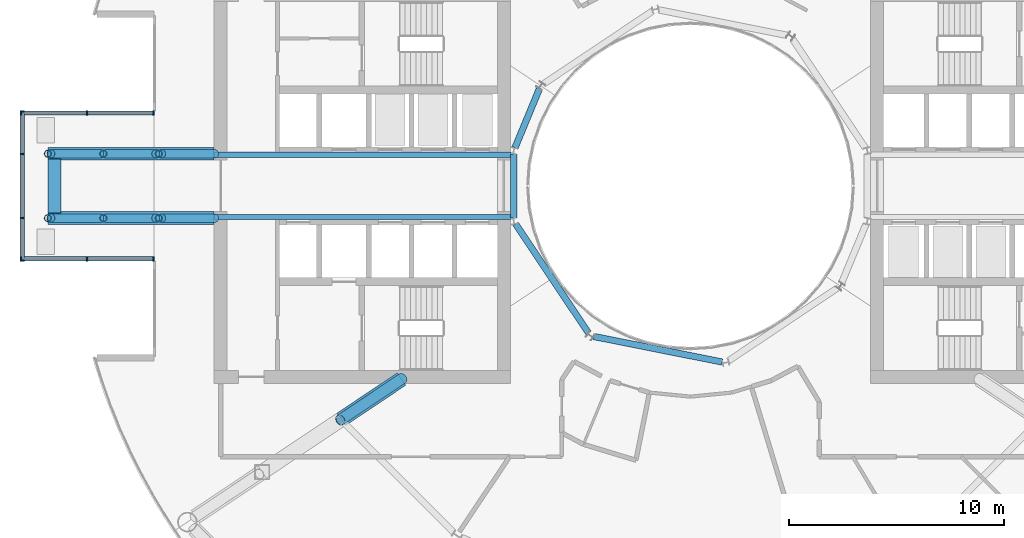
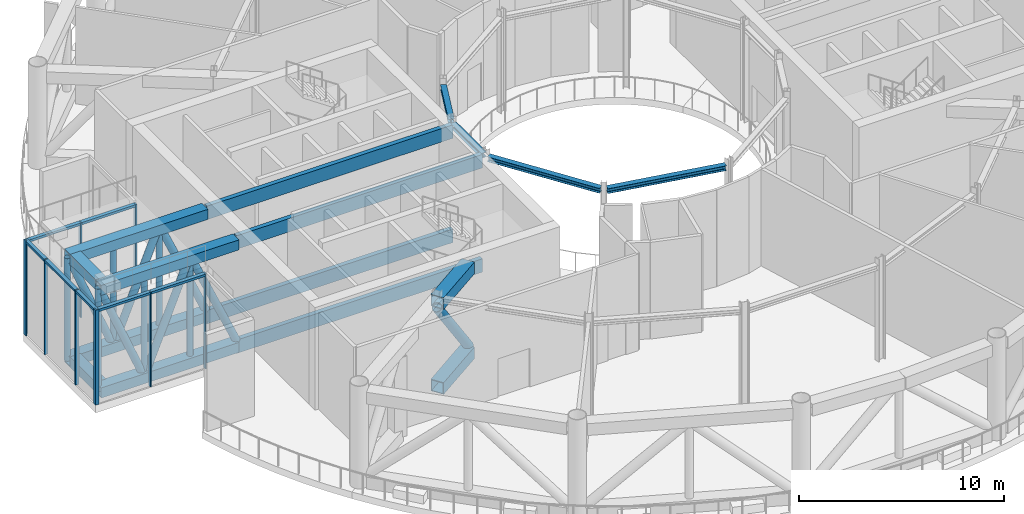
# One storey, part 6 of 25: 30 members, 16 beams, 3 elements without a shape of their own.
"""IFC4 building model written with IfcOpenShell, lengths in metres."""

from ifc_helpers import new_model, si_unit, direction, frame, origin, origin_2d, place, context, subcontext, project, spatial, rectangle, hollow_rectangle, hollow_circle, i_section, extrude, material, layer, layer_set, material_profile, profile_set, type_object, element, aggregate, save


model = new_model("IFC4")

# Units and contexts
model_context = context("Model", 3, precision=1e-05, world=origin(), true_north=direction((0.0, 1.0)))
body_context = subcontext(model_context, "Body", "Model", "MODEL_VIEW")
ifc_project = project(units=[si_unit("LENGTHUNIT", "METRE"), si_unit("AREAUNIT", "SQUARE_METRE"), si_unit("VOLUMEUNIT", "CUBIC_METRE"), si_unit("PLANEANGLEUNIT", "RADIAN"), si_unit("MASSUNIT", "GRAM", prefix="KILO")], contexts=[model_context])

# Site, building, storey
site_placement = place(None, origin())
site = spatial("IfcSite", under=ifc_project, at=site_placement, CompositionType="ELEMENT")
building_placement = place(site_placement, origin())
building = spatial("IfcBuilding", under=site, at=building_placement, Name="Maasbend Ring Residences", CompositionType="ELEMENT")
storey_placement = place(building_placement, frame((0.0, 0.0, 139.10009765625)))
storey = spatial("IfcBuildingStorey", under=building, at=storey_placement, Name="L40", CompositionType="ELEMENT", Elevation=139.10009765625)

# Curtain wall, members
ifc_material_1 = material(Name="Aluminium and clear glass", Category="aluminium")
ifc_layer = layer(ifc_material_1, 0.199951171875)
ifc_layer_set = layer_set([ifc_layer], Name="CW-GR")
curtain_wall_type = type_object("IfcCurtainWallType", Name="CW-GR", PredefinedType="NOTDEFINED", material=ifc_layer_set)
curtain_wall_1_placement = place(storey_placement, origin())
curtain_wall_1 = element("IfcCurtainWall", 1, at=curtain_wall_1_placement, inside=storey, type_object=curtain_wall_type, Name="Glass lounge curtain wall tip", PredefinedType="NOTDEFINED")
ifc_material_2 = material(Name="Aluminium 6063-T6", Category="aluminium")
ifc_material_profile_1 = material_profile(ifc_material_2, rectangle(XDim=0.199951171875, YDim=0.070068359375, at=origin_2d()), Name="AL 200x70")
ifc_profile_set_1 = profile_set([ifc_material_profile_1], Name="Aluminium 6063-T6")
member_type_1 = type_object("IfcMemberType", Name="CWM-GR", PredefinedType="MULLION", material=ifc_profile_set_1)
member_1_placement = place(storey_placement, frame((-31.14990234375, -3.465087890625, 0.0), z_axis=(0.0, 0.0, 1.0), x_axis=(-1.0, 0.0, 0.0)))
member_1 = element("IfcMember", 2, at=member_1_placement, type_object=member_type_1, Name="Mullion glass room", PredefinedType="MULLION", context=body_context, shape_type="SweptSolid", body=[
    extrude(rectangle(XDim=0.199951171875, YDim=0.070068359375, at=origin_2d()), origin(), (0.0, 0.0, 1.0), 5.64990234375),
])
member_2_placement = place(storey_placement, frame((-31.14990234375, -1.5, 0.0), z_axis=(0.0, 0.0, 1.0), x_axis=(-1.0, 0.0, 0.0)))
member_2 = element("IfcMember", 3, at=member_2_placement, type_object=member_type_1, Name="Mullion glass room", PredefinedType="MULLION", context=body_context, shape_type="SweptSolid", body=[
    extrude(rectangle(XDim=0.199951171875, YDim=0.070068359375, at=origin_2d()), origin(), (0.0, 0.0, 1.0), 5.64990234375),
])
member_3_placement = place(storey_placement, frame((-31.14990234375, 1.5, 0.0), z_axis=(0.0, 0.0, 1.0), x_axis=(-1.0, 0.0, 0.0)))
member_3 = element("IfcMember", 4, at=member_3_placement, type_object=member_type_1, Name="Mullion glass room", PredefinedType="MULLION", context=body_context, shape_type="SweptSolid", body=[
    extrude(rectangle(XDim=0.199951171875, YDim=0.070068359375, at=origin_2d()), origin(), (0.0, 0.0, 1.0), 5.64990234375),
])
member_4_placement = place(storey_placement, frame((-31.14990234375, 3.465087890625, 0.0), z_axis=(0.0, 0.0, 1.0), x_axis=(-1.0, 0.0, 0.0)))
member_4 = element("IfcMember", 5, at=member_4_placement, type_object=member_type_1, Name="Mullion glass room", PredefinedType="MULLION", context=body_context, shape_type="SweptSolid", body=[
    extrude(rectangle(XDim=0.199951171875, YDim=0.070068359375, at=origin_2d()), origin(), (0.0, 0.0, 1.0), 5.64990234375),
])

curtain_wall_2_placement = place(storey_placement, origin())
curtain_wall_2 = element("IfcCurtainWall", 6, at=curtain_wall_2_placement, inside=storey, type_object=curtain_wall_type, Name="Glass lounge curtain wall south", PredefinedType="NOTDEFINED")
member_5_placement = place(storey_placement, frame((-25.034912109375, -3.39990234375, 0.0), z_axis=(0.0, 0.0, 1.0), x_axis=(0.0, -1.0, 0.0)))
member_5 = element("IfcMember", 7, at=member_5_placement, type_object=member_type_1, Name="Mullion glass room", PredefinedType="MULLION", context=body_context, shape_type="SweptSolid", body=[
    extrude(rectangle(XDim=0.199951171875, YDim=0.070068359375, at=origin_2d()), origin(), (0.0, 0.0, 1.0), 5.64990234375),
])
member_6_placement = place(storey_placement, frame((-28.125, -3.39990234375, 0.0), z_axis=(0.0, 0.0, 1.0), x_axis=(0.0, -1.0, 0.0)))
member_6 = element("IfcMember", 8, at=member_6_placement, type_object=member_type_1, Name="Mullion glass room", PredefinedType="MULLION", context=body_context, shape_type="SweptSolid", body=[
    extrude(rectangle(XDim=0.199951171875, YDim=0.070068359375, at=origin_2d()), origin(), (0.0, 0.0, 1.0), 5.64990234375),
])
member_7_placement = place(storey_placement, frame((-31.215087890625, -3.39990234375, 0.0), z_axis=(0.0, 0.0, 1.0), x_axis=(0.0, -1.0, 0.0)))
member_7 = element("IfcMember", 9, at=member_7_placement, type_object=member_type_1, Name="Mullion glass room", PredefinedType="MULLION", context=body_context, shape_type="SweptSolid", body=[
    extrude(rectangle(XDim=0.199951171875, YDim=0.070068359375, at=origin_2d()), origin(), (0.0, 0.0, 1.0), 5.64990234375),
])

curtain_wall_3_placement = place(storey_placement, origin())
curtain_wall_3 = element("IfcCurtainWall", 10, at=curtain_wall_3_placement, inside=storey, type_object=curtain_wall_type, Name="Glass lounge curtain wall north", PredefinedType="NOTDEFINED")
member_8_placement = place(storey_placement, frame((-25.034912109375, 3.39990234375, 0.0), z_axis=(0.0, 0.0, 1.0), x_axis=(0.0, -1.0, 0.0)))
member_8 = element("IfcMember", 11, at=member_8_placement, type_object=member_type_1, Name="Mullion glass room", PredefinedType="MULLION", context=body_context, shape_type="SweptSolid", body=[
    extrude(rectangle(XDim=0.199951171875, YDim=0.070068359375, at=origin_2d()), origin(), (0.0, 0.0, 1.0), 5.64990234375),
])
member_9_placement = place(storey_placement, frame((-28.125, 3.39990234375, 0.0), z_axis=(0.0, 0.0, 1.0), x_axis=(0.0, -1.0, 0.0)))
member_9 = element("IfcMember", 12, at=member_9_placement, type_object=member_type_1, Name="Mullion glass room", PredefinedType="MULLION", context=body_context, shape_type="SweptSolid", body=[
    extrude(rectangle(XDim=0.199951171875, YDim=0.070068359375, at=origin_2d()), origin(), (0.0, 0.0, 1.0), 5.64990234375),
])
member_10_placement = place(storey_placement, frame((-31.215087890625, 3.39990234375, 0.0), z_axis=(0.0, 0.0, 1.0), x_axis=(0.0, -1.0, 0.0)))
member_10 = element("IfcMember", 13, at=member_10_placement, type_object=member_type_1, Name="Mullion glass room", PredefinedType="MULLION", context=body_context, shape_type="SweptSolid", body=[
    extrude(rectangle(XDim=0.199951171875, YDim=0.070068359375, at=origin_2d()), origin(), (0.0, 0.0, 1.0), 5.64990234375),
])

# Member
ifc_material_3 = material(Name="Aluminium 6063-T6", Category="aluminium")
ifc_material_profile_2 = material_profile(ifc_material_3, rectangle(XDim=0.199951171875, YDim=0.139892578125, at=origin_2d()), Name="AL 200x140")
ifc_profile_set_2 = profile_set([ifc_material_profile_2], Name="Aluminium 6063-T6")
member_type_2 = type_object("IfcMemberType", Name="CWT-GR", PredefinedType="USERDEFINED", material=ifc_profile_set_2)
member_11_placement = place(storey_placement, frame((-31.14990234375, -3.429931640625, 5.579833984375), z_axis=(0.0, 1.0, 0.0), x_axis=(-1.0, 0.0, 0.0)))
member_11 = element("IfcMember", 14, at=member_11_placement, type_object=member_type_2, Name="Transom glass room", ObjectType="TRANSOM", PredefinedType="USERDEFINED", context=body_context, shape_type="SweptSolid", body=[
    extrude(rectangle(XDim=0.199951171875, YDim=0.139892578125, at=origin_2d()), origin(), (0.0, 0.0, 1.0), 1.89501953125),
])

member_12_placement = place(storey_placement, frame((-31.14990234375, -1.465087890625, 5.579833984375), z_axis=(0.0, 1.0, 0.0), x_axis=(-1.0, 0.0, 0.0)))
member_12 = element("IfcMember", 15, at=member_12_placement, type_object=member_type_2, Name="Transom glass room", ObjectType="TRANSOM", PredefinedType="USERDEFINED", context=body_context, shape_type="SweptSolid", body=[
    extrude(rectangle(XDim=0.199951171875, YDim=0.139892578125, at=origin_2d()), origin(), (0.0, 0.0, 1.0), 2.93017578125),
])

member_13_placement = place(storey_placement, frame((-31.14990234375, 1.534912109375, 5.579833984375), z_axis=(0.0, 1.0, 0.0), x_axis=(-1.0, 0.0, 0.0)))
member_13 = element("IfcMember", 16, at=member_13_placement, type_object=member_type_2, Name="Transom glass room", ObjectType="TRANSOM", PredefinedType="USERDEFINED", context=body_context, shape_type="SweptSolid", body=[
    extrude(rectangle(XDim=0.199951171875, YDim=0.139892578125, at=origin_2d()), origin(), (0.0, 0.0, 1.0), 1.89501953125),
])

aggregate(curtain_wall_1, [member_1, member_2, member_3, member_4, member_11, member_12, member_13])

member_14_placement = place(storey_placement, frame((-25.070068359375, -3.39990234375, 5.579833984375), z_axis=(-1.0, 0.0, 0.0), x_axis=(0.0, -1.0, 0.0)))
member_14 = element("IfcMember", 17, at=member_14_placement, type_object=member_type_2, Name="Transom glass room", ObjectType="TRANSOM", PredefinedType="USERDEFINED", context=body_context, shape_type="SweptSolid", body=[
    extrude(rectangle(XDim=0.199951171875, YDim=0.139892578125, at=origin_2d()), origin(), (0.0, 0.0, 1.0), 3.02001953125),
])

member_15_placement = place(storey_placement, frame((-28.159912109375, -3.39990234375, 5.579833984375), z_axis=(-1.0, 0.0, 0.0), x_axis=(0.0, -1.0, 0.0)))
member_15 = element("IfcMember", 18, at=member_15_placement, type_object=member_type_2, Name="Transom glass room", ObjectType="TRANSOM", PredefinedType="USERDEFINED", context=body_context, shape_type="SweptSolid", body=[
    extrude(rectangle(XDim=0.199951171875, YDim=0.139892578125, at=origin_2d()), origin(), (0.0, 0.0, 1.0), 3.02001953125),
])

aggregate(curtain_wall_2, [member_5, member_6, member_7, member_14, member_15])

member_16_placement = place(storey_placement, frame((-25.070068359375, 3.39990234375, 5.579833984375), z_axis=(-1.0, 0.0, 0.0), x_axis=(0.0, -1.0, 0.0)))
member_16 = element("IfcMember", 19, at=member_16_placement, type_object=member_type_2, Name="Transom glass room", ObjectType="TRANSOM", PredefinedType="USERDEFINED", context=body_context, shape_type="SweptSolid", body=[
    extrude(rectangle(XDim=0.199951171875, YDim=0.139892578125, at=origin_2d()), origin(), (0.0, 0.0, 1.0), 3.02001953125),
])

member_17_placement = place(storey_placement, frame((-28.159912109375, 3.39990234375, 5.579833984375), z_axis=(-1.0, 0.0, 0.0), x_axis=(0.0, -1.0, 0.0)))
member_17 = element("IfcMember", 20, at=member_17_placement, type_object=member_type_2, Name="Transom glass room", ObjectType="TRANSOM", PredefinedType="USERDEFINED", context=body_context, shape_type="SweptSolid", body=[
    extrude(rectangle(XDim=0.199951171875, YDim=0.139892578125, at=origin_2d()), origin(), (0.0, 0.0, 1.0), 3.02001953125),
])

aggregate(curtain_wall_3, [member_8, member_9, member_10, member_16, member_17])

# Beams
ifc_material_4 = material(Name="Steel S460M", Category="steel")
ifc_material_profile_3 = material_profile(ifc_material_4, hollow_rectangle(XDim=0.25, YDim=0.800048828125, WallThickness=0.02490234375, at=origin_2d()), Name="Glass room back-span beam BX 800x250x25")
ifc_profile_set_3 = profile_set([ifc_material_profile_3], Name="Steel S460M")
beam_type_1 = type_object("IfcBeamType", Name="Glass room back-span beam BX 800x250x25", PredefinedType="BEAM", material=ifc_profile_set_3)
for number, where, z_axis, x_axis, name in (
    (21, (-22.199951171875, -1.449951171875, -0.85009765625), (1.0, 0.0, 0.0), (0.0, 1.0, 0.0), "Glass room lower back-span beam W"),
    (22, (-22.199951171875, -1.449951171875, 5.349853515625), (1.0, 0.0, 0.0), (0.0, 1.0, 0.0), "Glass room back-span beam W"),
    (23, (-22.199951171875, 1.449951171875, -0.85009765625), (1.0, 0.0, 0.0), (0.0, 1.0, 0.0), "Glass room lower back-span beam W"),
    (24, (-22.199951171875, 1.449951171875, 5.349853515625), (1.0, 0.0, 0.0), (0.0, 1.0, 0.0), "Glass room back-span beam W"),
):
    element("IfcBeam", number, at=place(storey_placement, frame(where, z_axis=z_axis, x_axis=x_axis)), inside=storey, type_object=beam_type_1, Name=name, PredefinedType="BEAM", context=body_context, shape_type="SweptSolid", body=[
        extrude(hollow_rectangle(XDim=0.25, YDim=0.800048828125, WallThickness=0.02490234375, at=origin_2d()), origin(), (0.0, 0.0, 1.0), 13.830810546875),
    ])
ifc_material_5 = material(Name="Steel S460M", Category="steel")
ifc_material_profile_4 = material_profile(ifc_material_5, hollow_rectangle(XDim=0.60009765625, YDim=0.60009765625, WallThickness=0.035888671875, at=origin_2d()), Name="Glass room truss chord BX 600x600x36")
ifc_profile_set_4 = profile_set([ifc_material_profile_4], Name="Steel S460M")
beam_type_2 = type_object("IfcBeamType", Name="Glass room truss chord BX 600x600x36", PredefinedType="BEAM", material=ifc_profile_set_4)
for number, where, z_axis, x_axis, name in (
    (25, (-22.199951171875, -1.5, -0.75), (-1.0, 0.0, 0.0), (0.0, -1.0, 0.0), "Glass room truss W"),
    (26, (-22.199951171875, -1.5, 5.349853515625), (-1.0, 0.0, 0.0), (0.0, -1.0, 0.0), "Glass room truss W"),
):
    element("IfcBeam", number, at=place(storey_placement, frame(where, z_axis=z_axis, x_axis=x_axis)), inside=storey, type_object=beam_type_2, Name=name, PredefinedType="BEAM", context=body_context, shape_type="SweptSolid", body=[
        extrude(hollow_rectangle(XDim=0.60009765625, YDim=0.60009765625, WallThickness=0.035888671875, at=origin_2d()), origin(), (0.0, 0.0, 1.0), 7.75),
    ])
for number, where, z_axis, x_axis, name in (
    (27, (-29.64990234375, -1.25, 5.349853515625), (0.0, 1.0, 0.0), (-1.0, 0.0, 0.0), "Glass room tip beam W"),
    (28, (-29.64990234375, -1.25, -0.75), (0.0, 1.0, 0.0), (-1.0, 0.0, 0.0), "Glass room lower tip beam W"),
):
    element("IfcBeam", number, at=place(storey_placement, frame(where, z_axis=z_axis, x_axis=x_axis)), inside=storey, type_object=beam_type_2, Name=name, PredefinedType="BEAM", context=body_context, shape_type="SweptSolid", body=[
        extrude(hollow_rectangle(XDim=0.60009765625, YDim=0.60009765625, WallThickness=0.035888671875, at=origin_2d()), origin(), (0.0, 0.0, 1.0), 2.5),
    ])
for number, where, z_axis, x_axis, name in (
    (29, (-22.199951171875, 1.5, -0.75), (-1.0, 0.0, 0.0), (0.0, -1.0, 0.0), "Glass room truss W"),
    (30, (-22.199951171875, 1.5, 5.349853515625), (-1.0, 0.0, 0.0), (0.0, -1.0, 0.0), "Glass room truss W"),
):
    element("IfcBeam", number, at=place(storey_placement, frame(where, z_axis=z_axis, x_axis=x_axis)), inside=storey, type_object=beam_type_2, Name=name, PredefinedType="BEAM", context=body_context, shape_type="SweptSolid", body=[
        extrude(hollow_rectangle(XDim=0.60009765625, YDim=0.60009765625, WallThickness=0.035888671875, at=origin_2d()), origin(), (0.0, 0.0, 1.0), 7.75),
    ])

# Members
ifc_material_6 = material(Name="Steel S460NH", Category="steel")
ifc_material_profile_5 = material_profile(ifc_material_6, hollow_circle(Radius=0.203125, WallThickness=0.01611328125, at=origin_2d()), Name="Glass room truss diagonal CHS 406.4x16")
ifc_profile_set_5 = profile_set([ifc_material_profile_5], Name="Steel S460NH")
member_type_3 = type_object("IfcMemberType", Name="Glass room truss diagonal CHS 406.4x16", PredefinedType="BRACE", material=ifc_profile_set_5)
member_18_placement = place(storey_placement, frame((-22.177978515625, -1.5, -0.5), z_axis=(-0.402929824576, 0.0, 0.915230876045), x_axis=(0.0, -1.0, 0.0)))
element("IfcMember", 31, at=member_18_placement, inside=storey, type_object=member_type_3, Name="Glass room truss W diagonal", PredefinedType="BRACE", context=body_context, shape_type="SweptSolid", body=[
    extrude(hollow_circle(Radius=0.203125, WallThickness=0.01611328125, at=origin_2d()), origin(), (0.0, 0.0, 1.0), 6.118408203125),
])
for number, where, z_axis, x_axis, name in (
    (32, (-24.9248046875, -1.5, 5.099853515625), (-0.380003269948, 0.0, -0.924985143032), (0.0, -1.0, 0.0), "Glass room truss W diagonal"),
    (33, (-27.508056640625, -1.5, -0.5), (-0.380003269948, 0.0, 0.924985143032), (0.0, -1.0, 0.0), "Glass room truss W diagonal"),
):
    element("IfcMember", number, at=place(storey_placement, frame(where, z_axis=z_axis, x_axis=x_axis)), inside=storey, type_object=member_type_3, Name=name, PredefinedType="BRACE", context=body_context, shape_type="SweptSolid", body=[
        extrude(hollow_circle(Radius=0.203125, WallThickness=0.01611328125, at=origin_2d()), origin(), (0.0, 0.0, 1.0), 6.053955078125),
    ])
member_19_placement = place(storey_placement, frame((-22.177978515625, 1.5, -0.5), z_axis=(-0.402929824576, 0.0, 0.915230876045), x_axis=(0.0, -1.0, 0.0)))
element("IfcMember", 34, at=member_19_placement, inside=storey, type_object=member_type_3, Name="Glass room truss W diagonal", PredefinedType="BRACE", context=body_context, shape_type="SweptSolid", body=[
    extrude(hollow_circle(Radius=0.203125, WallThickness=0.01611328125, at=origin_2d()), origin(), (0.0, 0.0, 1.0), 6.118408203125),
])
for number, where, z_axis, x_axis, name in (
    (35, (-24.9248046875, 1.5, 5.099853515625), (-0.380003269948, 0.0, -0.924985143032), (0.0, -1.0, 0.0), "Glass room truss W diagonal"),
    (36, (-27.508056640625, 1.5, -0.5), (-0.380003269948, 0.0, 0.924985143032), (0.0, -1.0, 0.0), "Glass room truss W diagonal"),
):
    element("IfcMember", number, at=place(storey_placement, frame(where, z_axis=z_axis, x_axis=x_axis)), inside=storey, type_object=member_type_3, Name=name, PredefinedType="BRACE", context=body_context, shape_type="SweptSolid", body=[
        extrude(hollow_circle(Radius=0.203125, WallThickness=0.01611328125, at=origin_2d()), origin(), (0.0, 0.0, 1.0), 6.053955078125),
    ])
ifc_material_7 = material(Name="Steel S460NH", Category="steel")
ifc_material_profile_6 = material_profile(ifc_material_7, hollow_circle(Radius=0.161865234375, WallThickness=0.012451171875, at=origin_2d()), Name="Glass room truss post CHS 323.9x12.5")
ifc_profile_set_6 = profile_set([ifc_material_profile_6], Name="Steel S460NH")
member_type_4 = type_object("IfcMemberType", Name="Glass room truss post CHS 323.9x12.5", PredefinedType="POST", material=ifc_profile_set_6)
for number, where, z_axis, x_axis, name in (
    (37, (-24.783203125, -1.5, -0.4501953125), (0.0, 0.0, 1.0), (1.0, 0.0, 0.0), "Glass room truss W post"),
    (38, (-27.36669921875, -1.5, -0.4501953125), (0.0, 0.0, 1.0), (1.0, 0.0, 0.0), "Glass room truss W post"),
):
    element("IfcMember", number, at=place(storey_placement, frame(where, z_axis=z_axis, x_axis=x_axis)), inside=storey, type_object=member_type_4, Name=name, PredefinedType="POST", context=body_context, shape_type="SweptSolid", body=[
        extrude(hollow_circle(Radius=0.161865234375, WallThickness=0.012451171875, at=origin_2d()), origin(), (0.0, 0.0, 1.0), 5.5),
    ])
member_20_placement = place(storey_placement, frame((-29.949951171875, -1.5, -0.75), z_axis=(0.0, 0.0, 1.0), x_axis=(1.0, 0.0, 0.0)))
element("IfcMember", 39, at=member_20_placement, inside=storey, type_object=member_type_4, Name="Glass room truss W post", PredefinedType="POST", context=body_context, shape_type="SweptSolid", body=[
    extrude(hollow_circle(Radius=0.161865234375, WallThickness=0.012451171875, at=origin_2d()), origin(), (0.0, 0.0, 1.0), 6.099853515625),
])
for number, where, z_axis, x_axis, name in (
    (40, (-24.783203125, 1.5, -0.4501953125), (0.0, 0.0, 1.0), (1.0, 0.0, 0.0), "Glass room truss W post"),
    (41, (-27.36669921875, 1.5, -0.4501953125), (0.0, 0.0, 1.0), (1.0, 0.0, 0.0), "Glass room truss W post"),
):
    element("IfcMember", number, at=place(storey_placement, frame(where, z_axis=z_axis, x_axis=x_axis)), inside=storey, type_object=member_type_4, Name=name, PredefinedType="POST", context=body_context, shape_type="SweptSolid", body=[
        extrude(hollow_circle(Radius=0.161865234375, WallThickness=0.012451171875, at=origin_2d()), origin(), (0.0, 0.0, 1.0), 5.5),
    ])
member_21_placement = place(storey_placement, frame((-29.949951171875, 1.5, -0.75), z_axis=(0.0, 0.0, 1.0), x_axis=(1.0, 0.0, 0.0)))
element("IfcMember", 42, at=member_21_placement, inside=storey, type_object=member_type_4, Name="Glass room truss W post", PredefinedType="POST", context=body_context, shape_type="SweptSolid", body=[
    extrude(hollow_circle(Radius=0.161865234375, WallThickness=0.012451171875, at=origin_2d()), origin(), (0.0, 0.0, 1.0), 6.099853515625),
])

# Beams
ifc_material_8 = material(Name="Steel S460M", Category="steel")
ifc_material_profile_7 = material_profile(ifc_material_8, hollow_rectangle(XDim=0.699951171875, YDim=0.699951171875, WallThickness=0.0400390625, at=origin_2d()), Name="Outrigger truss chord BX 700x700x40")
ifc_profile_set_7 = profile_set([ifc_material_profile_7], Name="Steel S460M")
beam_type_3 = type_object("IfcBeamType", Name="Outrigger truss chord BX 700x700x40", PredefinedType="BEAM", material=ifc_profile_set_7)
for number, where, z_axis, x_axis, name in (
    (43, (-16.2900390625, -10.884765625, 0.349853515625), (0.831451918965, 0.555596712058, 0.0), (-0.555596712058, 0.831451918965, 0.0), "Outrigger truss"),
    (44, (-16.2900390625, -10.884765625, 5.39990234375), (0.831451918965, 0.555596712058, 0.0), (-0.555596712058, 0.831451918965, 0.0), "Outrigger truss"),
):
    element("IfcBeam", number, at=place(storey_placement, frame(where, z_axis=z_axis, x_axis=x_axis)), inside=storey, type_object=beam_type_3, Name=name, PredefinedType="BEAM", context=body_context, shape_type="SweptSolid", body=[
        extrude(hollow_rectangle(XDim=0.699951171875, YDim=0.699951171875, WallThickness=0.0400390625, at=origin_2d()), origin(), (0.0, 0.0, 1.0), 3.392333984375),
    ])

# Member
ifc_material_9 = material(Name="Steel S460NH", Category="steel")
ifc_material_profile_8 = material_profile(ifc_material_9, hollow_circle(Radius=0.25390625, WallThickness=0.02490234375, at=origin_2d()), Name="Outrigger truss diagonal CHS 508x25")
ifc_profile_set_8 = profile_set([ifc_material_profile_8], Name="Steel S460NH")
member_type_5 = type_object("IfcMemberType", Name="Outrigger truss diagonal CHS 508x25", PredefinedType="BRACE", material=ifc_profile_set_8)
member_22_placement = place(storey_placement, frame((-16.322509765625, -10.906494140625, 5.099853515625), z_axis=(0.511318996227, 0.341686896709, -0.78854482987), x_axis=(-0.555608978512, 0.831443722086, 0.0)))
element("IfcMember", 45, at=member_22_placement, inside=storey, type_object=member_type_5, Name="Outrigger truss diagonal", PredefinedType="BRACE", context=body_context, shape_type="SweptSolid", body=[
    extrude(hollow_circle(Radius=0.25390625, WallThickness=0.02490234375, at=origin_2d()), origin(), (0.0, 0.0, 1.0), 5.643310546875),
])

# Beams
ifc_material_10 = material(Name="Steel S355J2", Category="steel")
ifc_material_profile_9 = material_profile(ifc_material_10, i_section(OverallWidth=0.300048828125, OverallDepth=0.2900390625, WebThickness=0.008544921875, FlangeThickness=0.013916015625, FilletRadius=0.027099609375, at=origin_2d()), Name="HEA 300")
ifc_profile_set_9 = profile_set([ifc_material_profile_9], Name="Steel S355J2")
beam_type_4 = type_object("IfcBeamType", Name="Well edge beam HEA 300", PredefinedType="BEAM", material=ifc_profile_set_9)
for number, where, z_axis, x_axis, name in (
    (46, (-7.042724609375, 4.525390625, 5.60498046875), (-0.382765370874, -0.923845588212, 0.0), (0.923845588212, -0.382765370874, 0.0), "Well edge beam"),
    (47, (-8.238525390625, 1.48583984375, 5.60498046875), (0.0, -1.0, 0.0), (1.0, 0.0, 0.0), "Well edge beam"),
):
    element("IfcBeam", number, at=place(storey_placement, frame(where, z_axis=z_axis, x_axis=x_axis)), inside=storey, type_object=beam_type_4, Name=name, PredefinedType="BEAM", context=body_context, shape_type="SweptSolid", body=[
        extrude(i_section(OverallWidth=0.300048828125, OverallDepth=0.2900390625, WebThickness=0.008544921875, FlangeThickness=0.013916015625, FilletRadius=0.027099609375, at=origin_2d()), origin(), (0.0, 0.0, 1.0), 2.9716796875),
    ])
beam_1_placement = place(storey_placement, frame((-8.1484375, -1.773681640625, 5.60498046875), z_axis=(0.555558236289, -0.831477628137, 0.0), x_axis=(0.831477628137, 0.555558236289, 0.0)))
element("IfcBeam", 48, at=beam_1_placement, inside=storey, type_object=beam_type_4, Name="Well edge beam", PredefinedType="BEAM", context=body_context, shape_type="SweptSolid", body=[
    extrude(i_section(OverallWidth=0.300048828125, OverallDepth=0.2900390625, WebThickness=0.008544921875, FlangeThickness=0.013916015625, FilletRadius=0.027099609375, at=origin_2d()), origin(), (0.0, 0.0, 1.0), 6.1044921875),
])
beam_2_placement = place(storey_placement, frame((-4.507568359375, -7.01611328125, 5.60498046875), z_axis=(0.980792381321, -0.195054619896, 0.0), x_axis=(0.195054619896, 0.980792381321, 0.0)))
element("IfcBeam", 49, at=beam_2_placement, inside=storey, type_object=beam_type_4, Name="Well edge beam", PredefinedType="BEAM", context=body_context, shape_type="SweptSolid", body=[
    extrude(i_section(OverallWidth=0.300048828125, OverallDepth=0.2900390625, WebThickness=0.008544921875, FlangeThickness=0.013916015625, FilletRadius=0.027099609375, at=origin_2d()), origin(), (0.0, 0.0, 1.0), 6.104248046875),
])

save(model, "model.ifc")
